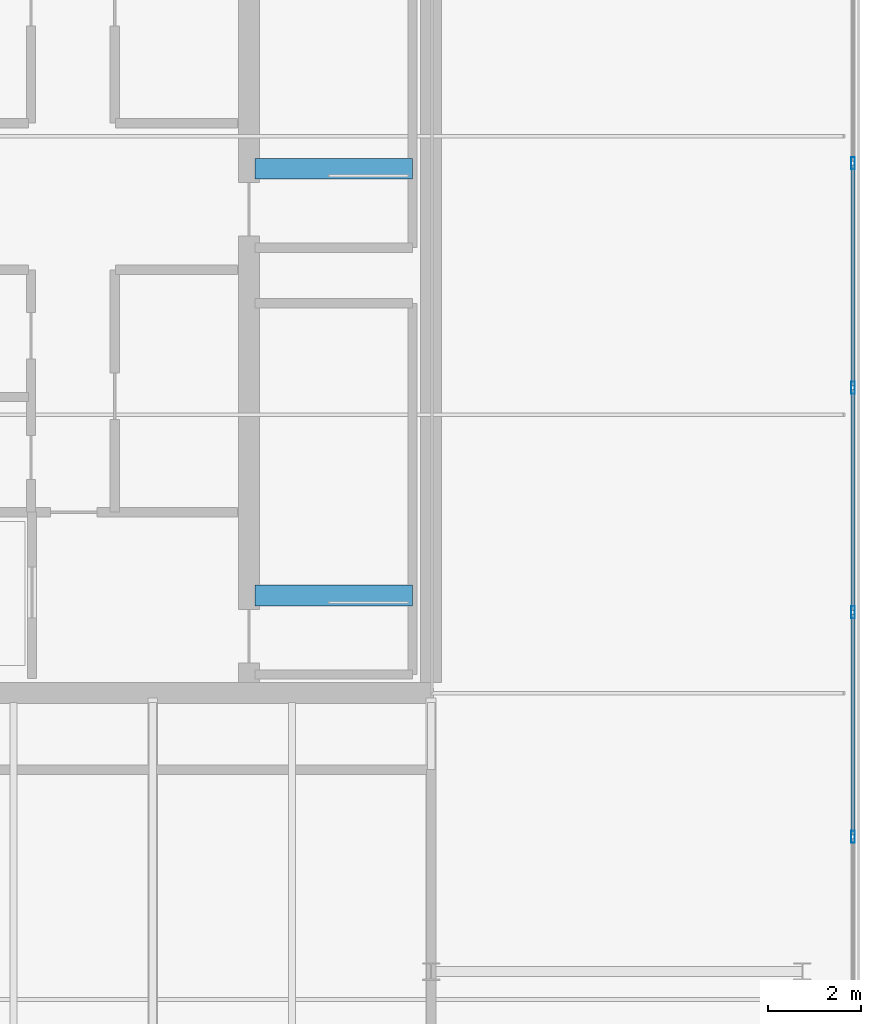
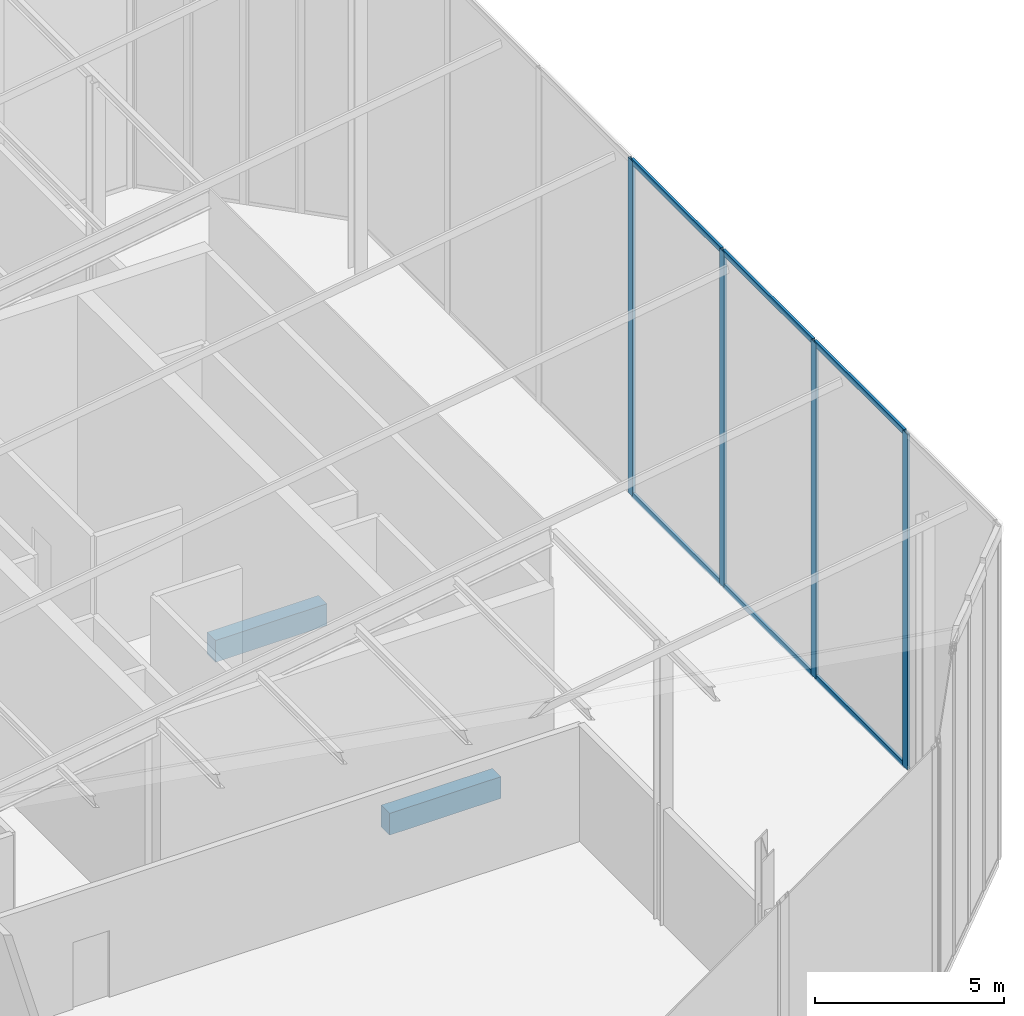
# One storey, part 13 of 30: 10 members, 2 beams, 1 element without a shape of its own.
"""IFC4 building model written with IfcOpenShell, lengths in metres."""

from ifc_helpers import new_model, si_unit, direction, frame, origin, origin_2d, place, context, subcontext, project, spatial, rectangle, hollow_rectangle, extrude, material, layer, layer_set, material_profile, profile_set, type_object, element, aggregate, save


model = new_model("IFC4")

# Units and contexts
model_context = context("Model", 3, precision=1e-05, world=origin(), true_north=direction((0.0, 1.0)))
body_context = subcontext(model_context, "Body", "Model", "MODEL_VIEW")
ifc_project = project(units=[si_unit("LENGTHUNIT", "METRE"), si_unit("AREAUNIT", "SQUARE_METRE"), si_unit("VOLUMEUNIT", "CUBIC_METRE"), si_unit("PLANEANGLEUNIT", "RADIAN"), si_unit("MASSUNIT", "GRAM", prefix="KILO")], contexts=[model_context])

# Site, building, storey
site_placement = place(None, origin())
site = spatial("IfcSite", under=ifc_project, at=site_placement, CompositionType="ELEMENT")
building_placement = place(site_placement, origin())
building = spatial("IfcBuilding", under=site, at=building_placement, Name="Tanjung Sevakor Pilgrim Tower", CompositionType="ELEMENT")
storey_placement = place(building_placement, frame((0.0, 0.0, 287.760009765625)))
storey = spatial("IfcBuildingStorey", under=building, at=storey_placement, Name="L80", CompositionType="ELEMENT", Elevation=287.760009765625)

# Beams
ifc_material_1 = material(Name="Concrete C60/75", Category="concrete")
ifc_material_profile_1 = material_profile(ifc_material_1, rectangle(XDim=0.449951171875, YDim=0.699951171875, at=origin_2d()))
ifc_profile_set_1 = profile_set([ifc_material_profile_1], Name="Concrete C60/75")
beam_type = type_object("IfcBeamType", Name="BM-B-LN3-RC-BM_450x700", PredefinedType="LINTEL", material=ifc_profile_set_1)
for number, where, z_axis, x_axis, name in (
    (1, (86.199951171875, 26.699951171875, -0.35009765625), (1.0, 0.0, 0.0), (0.0, 1.0, 0.0), "L80 TS-E1 Stair Threshold Beam"),
    (2, (86.199951171875, 35.89990234375, -0.35009765625), (1.0, 0.0, 0.0), (0.0, 1.0, 0.0), "L80 TS-E2 Stair Threshold Beam"),
):
    element("IfcBeam", number, at=place(storey_placement, frame(where, z_axis=z_axis, x_axis=x_axis)), inside=storey, type_object=beam_type, Name=name, PredefinedType="LINTEL", context=body_context, shape_type="SweptSolid", body=[
        extrude(rectangle(XDim=0.449951171875, YDim=0.699951171875, at=origin_2d()), origin(), (0.0, 0.0, 1.0), 3.400146484375),
    ])

# Curtain wall, members
ifc_material_2 = material(Name="Aluminium 6063-T6 and Low-E Glass", Category="aluminium")
ifc_layer = layer(ifc_material_2, 0.219970703125)
ifc_layer_set = layer_set([ifc_layer], Name="CW-SYS-CRNE")
curtain_wall_type = type_object("IfcCurtainWallType", Name="CW-SYS-CRNE", PredefinedType="NOTDEFINED", material=ifc_layer_set)
curtain_wall_placement = place(storey_placement, origin())
curtain_wall = element("IfcCurtainWall", 3, at=curtain_wall_placement, inside=storey, type_object=curtain_wall_type, Name="L80 Curtain Wall CW-CRN-L80-EAST-2-1", PredefinedType="NOTDEFINED")
ifc_material_3 = material(Name="Aluminium 6063-T6", Category="aluminium")
ifc_material_profile_2 = material_profile(ifc_material_3, hollow_rectangle(XDim=0.080078125, YDim=0.260009765625, WallThickness=0.0048828125, at=origin_2d()))
ifc_profile_set_2 = profile_set([ifc_material_profile_2], Name="Aluminium 6063-T6")
member_type_1 = type_object("IfcMemberType", Name="TYPE-CWM-3", PredefinedType="MULLION", material=ifc_profile_set_2)
member_1_placement = place(storey_placement, frame((99.090087890625, 21.50390625, 0.0), z_axis=(0.0, 0.0, 1.0), x_axis=(-1.0, 0.0, 0.0)))
member_1 = element("IfcMember", 4, at=member_1_placement, type_object=member_type_1, Name="CW-CRE mullion 2", PredefinedType="MULLION", context=body_context, shape_type="SweptSolid", body=[
    extrude(hollow_rectangle(XDim=0.080078125, YDim=0.260009765625, WallThickness=0.0048828125, at=origin_2d()), origin(), (0.0, 0.0, 1.0), 10.82275390625),
])
member_2_placement = place(storey_placement, frame((99.090087890625, 26.34228515625, 0.0), z_axis=(0.0, 0.0, 1.0), x_axis=(-1.0, 0.0, 0.0)))
member_2 = element("IfcMember", 5, at=member_2_placement, type_object=member_type_1, Name="CW-CRE mullion 3", PredefinedType="MULLION", context=body_context, shape_type="SweptSolid", body=[
    extrude(hollow_rectangle(XDim=0.080078125, YDim=0.260009765625, WallThickness=0.0048828125, at=origin_2d()), origin(), (0.0, 0.0, 1.0), 10.82275390625),
])
member_3_placement = place(storey_placement, frame((99.090087890625, 31.180908203125, 0.0), z_axis=(0.0, 0.0, 1.0), x_axis=(-1.0, 0.0, 0.0)))
member_3 = element("IfcMember", 6, at=member_3_placement, type_object=member_type_1, Name="CW-CRE mullion 4", PredefinedType="MULLION", context=body_context, shape_type="SweptSolid", body=[
    extrude(hollow_rectangle(XDim=0.080078125, YDim=0.260009765625, WallThickness=0.0048828125, at=origin_2d()), origin(), (0.0, 0.0, 1.0), 10.82275390625),
])
member_4_placement = place(storey_placement, frame((99.090087890625, 36.019287109375, 0.0), z_axis=(0.0, 0.0, 1.0), x_axis=(-1.0, 0.0, 0.0)))
member_4 = element("IfcMember", 7, at=member_4_placement, type_object=member_type_1, Name="CW-CRE mullion 5", PredefinedType="MULLION", context=body_context, shape_type="SweptSolid", body=[
    extrude(hollow_rectangle(XDim=0.080078125, YDim=0.260009765625, WallThickness=0.0048828125, at=origin_2d()), origin(), (0.0, 0.0, 1.0), 10.82275390625),
])
ifc_material_4 = material(Name="Aluminium 6063-T6", Category="aluminium")
ifc_material_profile_3 = material_profile(ifc_material_4, hollow_rectangle(XDim=0.080078125, YDim=0.179931640625, WallThickness=0.0048828125, at=origin_2d()))
ifc_profile_set_3 = profile_set([ifc_material_profile_3], Name="Aluminium 6063-T6")
member_type_2 = type_object("IfcMemberType", Name="TYPE-CWT-3", PredefinedType="USERDEFINED", material=ifc_profile_set_3)
member_5_placement = place(storey_placement, frame((99.090087890625, 21.5439453125, 0.0400390625), z_axis=(0.0, 1.0, 0.0), x_axis=(-1.0, 0.0, 0.0)))
member_5 = element("IfcMember", 8, at=member_5_placement, type_object=member_type_2, Name="CW-CRE transom 2.1", ObjectType="TRANSOM", PredefinedType="USERDEFINED", context=body_context, shape_type="SweptSolid", body=[
    extrude(hollow_rectangle(XDim=0.080078125, YDim=0.179931640625, WallThickness=0.0048828125, at=origin_2d()), origin(), (0.0, 0.0, 1.0), 4.758544921875),
])
member_6_placement = place(storey_placement, frame((99.090087890625, 21.5439453125, 10.78271484375), z_axis=(0.0, 1.0, 0.0), x_axis=(-1.0, 0.0, 0.0)))
member_6 = element("IfcMember", 9, at=member_6_placement, type_object=member_type_2, Name="CW-CRE transom 2.2", ObjectType="TRANSOM", PredefinedType="USERDEFINED", context=body_context, shape_type="SweptSolid", body=[
    extrude(hollow_rectangle(XDim=0.080078125, YDim=0.179931640625, WallThickness=0.0048828125, at=origin_2d()), origin(), (0.0, 0.0, 1.0), 4.758544921875),
])
member_7_placement = place(storey_placement, frame((99.090087890625, 26.38232421875, 0.0400390625), z_axis=(0.0, 1.0, 0.0), x_axis=(-1.0, 0.0, 0.0)))
member_7 = element("IfcMember", 10, at=member_7_placement, type_object=member_type_2, Name="CW-CRE transom 3.1", ObjectType="TRANSOM", PredefinedType="USERDEFINED", context=body_context, shape_type="SweptSolid", body=[
    extrude(hollow_rectangle(XDim=0.080078125, YDim=0.179931640625, WallThickness=0.0048828125, at=origin_2d()), origin(), (0.0, 0.0, 1.0), 4.758544921875),
])
member_8_placement = place(storey_placement, frame((99.090087890625, 26.38232421875, 10.78271484375), z_axis=(0.0, 1.0, 0.0), x_axis=(-1.0, 0.0, 0.0)))
member_8 = element("IfcMember", 11, at=member_8_placement, type_object=member_type_2, Name="CW-CRE transom 3.2", ObjectType="TRANSOM", PredefinedType="USERDEFINED", context=body_context, shape_type="SweptSolid", body=[
    extrude(hollow_rectangle(XDim=0.080078125, YDim=0.179931640625, WallThickness=0.0048828125, at=origin_2d()), origin(), (0.0, 0.0, 1.0), 4.758544921875),
])
member_9_placement = place(storey_placement, frame((99.090087890625, 31.220703125, 0.0400390625), z_axis=(0.0, 1.0, 0.0), x_axis=(-1.0, 0.0, 0.0)))
member_9 = element("IfcMember", 12, at=member_9_placement, type_object=member_type_2, Name="CW-CRE transom 4.1", ObjectType="TRANSOM", PredefinedType="USERDEFINED", context=body_context, shape_type="SweptSolid", body=[
    extrude(hollow_rectangle(XDim=0.080078125, YDim=0.179931640625, WallThickness=0.0048828125, at=origin_2d()), origin(), (0.0, 0.0, 1.0), 4.758544921875),
])
member_10_placement = place(storey_placement, frame((99.090087890625, 31.220703125, 10.78271484375), z_axis=(0.0, 1.0, 0.0), x_axis=(-1.0, 0.0, 0.0)))
member_10 = element("IfcMember", 13, at=member_10_placement, type_object=member_type_2, Name="CW-CRE transom 4.2", ObjectType="TRANSOM", PredefinedType="USERDEFINED", context=body_context, shape_type="SweptSolid", body=[
    extrude(hollow_rectangle(XDim=0.080078125, YDim=0.179931640625, WallThickness=0.0048828125, at=origin_2d()), origin(), (0.0, 0.0, 1.0), 4.758544921875),
])
aggregate(curtain_wall, [member_1, member_2, member_3, member_4, member_5, member_6, member_7, member_8, member_9, member_10])

save(model, "model.ifc")
